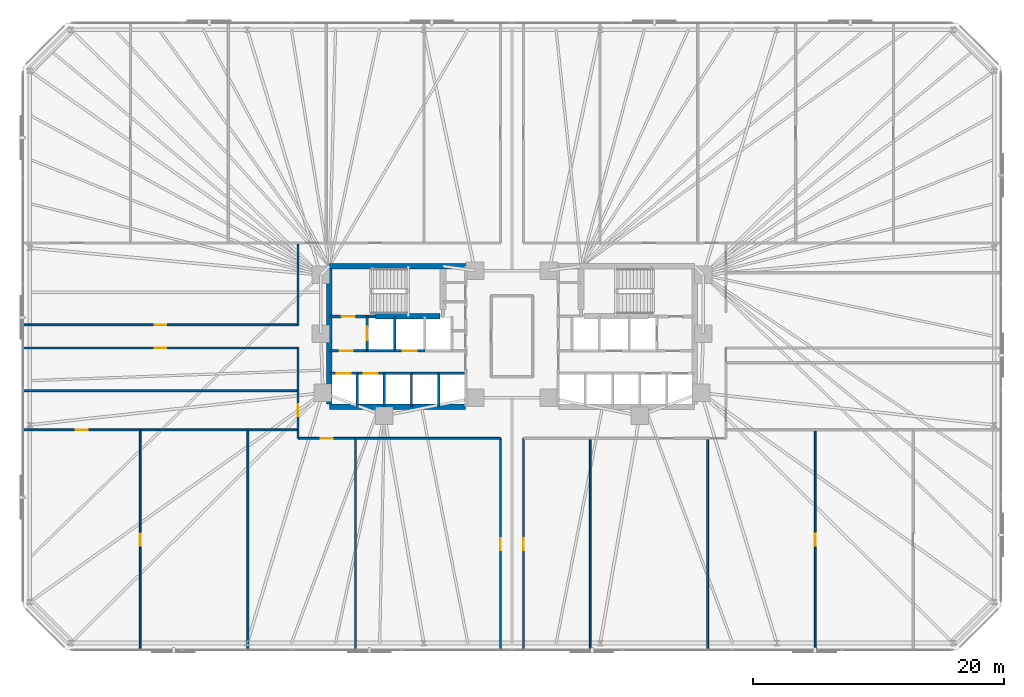
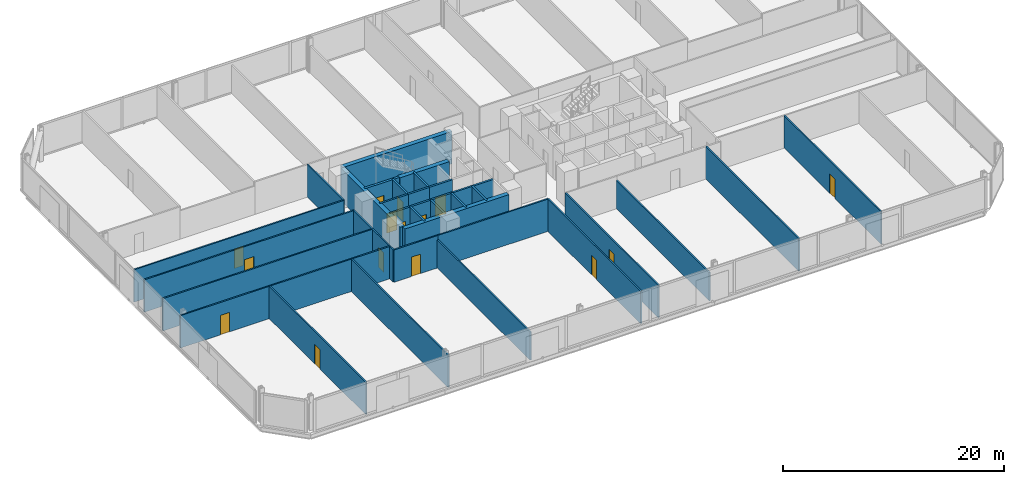
# One storey, part 12 of 17: 35 walls, 15 doors, 15 openings.
"""IFC4 building model written with IfcOpenShell, lengths in metres."""

from ifc_helpers import new_model, si_unit, direction, frame, frame_2d, origin, place, context, subcontext, project, spatial, rectangle, extrude, material, layer, layer_set, type_object, element, fill, save


model = new_model("IFC4")

# Units and contexts
model_context = context("Model", 3, precision=1e-05, world=origin(), true_north=direction((0.0, 1.0)))
body_context = subcontext(model_context, "Body", "Model", "MODEL_VIEW")
ifc_project = project(units=[si_unit("LENGTHUNIT", "METRE"), si_unit("AREAUNIT", "SQUARE_METRE"), si_unit("VOLUMEUNIT", "CUBIC_METRE"), si_unit("PLANEANGLEUNIT", "RADIAN"), si_unit("MASSUNIT", "GRAM", prefix="KILO")], contexts=[model_context])

# Site, building, storey
site_placement = place(None, origin())
site = spatial("IfcSite", under=ifc_project, at=site_placement, CompositionType="ELEMENT")
building_placement = place(site_placement, origin())
building = spatial("IfcBuilding", under=site, at=building_placement, Name="Menara Jurai Vektor", CompositionType="ELEMENT")
storey_placement = place(building_placement, frame((0.0, 0.0, 37.0)))
storey = spatial("IfcBuildingStorey", under=building, at=storey_placement, Name="L08", CompositionType="ELEMENT", Elevation=37.0)

# Wall, opening, door
ifc_material_1 = material(Name="Concrete C40/50", Category="concrete")
ifc_layer_1 = layer(ifc_material_1, 0.25)
ifc_layer_set_1 = layer_set([ifc_layer_1], Name="Concrete C40/50")
wall_type_1 = type_object("IfcWallType", Name="INT-WALL-CORE-250", PredefinedType="STANDARD", material=ifc_layer_set_1)
wall_1_placement = place(storey_placement, frame((-14.5, 1.60009765625, 0.0), z_axis=(0.0, 0.0, 1.0), x_axis=(1.0, 0.0, 0.0)))
wall_1 = element("IfcWall", 1, at=wall_1_placement, inside=storey, type_object=wall_type_1, Name="Interior Wall IW-250 L08", PredefinedType="STANDARD", context=body_context, shape_type="SweptSolid", body=[
    extrude(rectangle(XDim=3.60009765625, YDim=0.25, at=frame_2d((1.800048828125, 0.0))), origin(), (0.0, 0.0, 1.0), 3.574951171875),
])
opening_1_placement = place(wall_1_placement, frame((0.919921875, 0.0, 0.0)))
opening_1 = element("IfcOpeningElement", 2, at=opening_1_placement, cuts=wall_1, Name="Opening D-L08-ST1", PredefinedType="OPENING", context=body_context, shape_type="SweptSolid", body=[
    extrude(rectangle(XDim=1.050048828125, YDim=2.14990234375, at=frame_2d((0.52490234375, 1.074951171875))), frame((0.0, 0.135009765625, 0.0), z_axis=(0.0, -1.0, 0.0), x_axis=(1.0, 0.0, 0.0)), (0.0, 0.0, 1.0), 0.27001953125),
])
ifc_material_2 = material(Name="Fire-Rated Steel Door", Category="steel")
door_type_1 = type_object("IfcDoorType", Name="DR-STAIR-1050", OperationType="NOTDEFINED", PredefinedType="DOOR", material=ifc_material_2)
door_1_placement = place(opening_1_placement, origin())
door_1 = element("IfcDoor", 3, at=door_1_placement, inside=storey, type_object=door_type_1, Name="Exit Stair ST1 Door L08", OperationType="SINGLE_SWING_RIGHT", OverallHeight=2.14990234375, OverallWidth=1.050048828125, PredefinedType="DOOR", context=body_context, shape_type="SweptSolid", body=[
    extrude(rectangle(XDim=1.050048828125, YDim=2.14990234375, at=frame_2d((0.52490234375, 1.074951171875))), frame((0.0, 0.02490234375, 0.0), z_axis=(0.0, -1.0, 0.0), x_axis=(1.0, 0.0, 0.0)), (0.0, 0.0, 1.0), 0.050048828125),
])
fill(opening_1, door_1)

wall_2_placement = place(storey_placement, frame((-11.550048828125, -1.14990234375, 0.0), z_axis=(0.0, 0.0, 1.0), x_axis=(0.0, 1.0, 0.0)))
wall_2 = element("IfcWall", 4, at=wall_2_placement, inside=storey, type_object=wall_type_1, Name="Interior Wall IW-250 L08", PredefinedType="STANDARD", context=body_context, shape_type="SweptSolid", body=[
    extrude(rectangle(XDim=2.75, YDim=0.199951171875, at=frame_2d((1.375, 0.0))), origin(), (0.0, 0.0, 1.0), 3.574951171875),
])
opening_2_placement = place(wall_2_placement, frame((0.824951171875, 0.0, 0.0)))
opening_2 = element("IfcOpeningElement", 5, at=opening_2_placement, cuts=wall_2, Name="Opening LD-L08-FL1", PredefinedType="OPENING", context=body_context, shape_type="SweptSolid", body=[
    extrude(rectangle(XDim=1.10009765625, YDim=2.14990234375, at=frame_2d((0.550048828125, 1.074951171875))), frame((0.0, 0.10986328125, 0.0), z_axis=(0.0, -1.0, 0.0), x_axis=(1.0, 0.0, 0.0)), (0.0, 0.0, 1.0), 0.219970703125),
])
ifc_material_3 = material(Name="Stainless Steel Sliding Lift Landing Door", Category="steel")
door_type_2 = type_object("IfcDoorType", Name="DR-LIFT-FIRE-1100", OperationType="NOTDEFINED", PredefinedType="DOOR", material=ifc_material_3)
door_2_placement = place(opening_2_placement, origin())
door_2 = element("IfcDoor", 6, at=door_2_placement, inside=storey, type_object=door_type_2, Name="Lift Landing Door FL1 L08", OperationType="SLIDING_TO_RIGHT", OverallHeight=2.14990234375, OverallWidth=1.10009765625, PredefinedType="DOOR", context=body_context, shape_type="SweptSolid", body=[
    extrude(rectangle(XDim=1.10009765625, YDim=2.14990234375, at=frame_2d((0.550048828125, 1.074951171875))), frame((0.0, 0.02490234375, 0.0), z_axis=(0.0, -1.0, 0.0), x_axis=(1.0, 0.0, 0.0)), (0.0, 0.0, 1.0), 0.050048828125),
])
fill(opening_2, door_2)

# Wall
wall_3_placement = place(storey_placement, frame((-9.35009765625, -1.14990234375, 0.0), z_axis=(0.0, 0.0, 1.0), x_axis=(0.0, 1.0, 0.0)))
element("IfcWall", 7, at=wall_3_placement, inside=storey, type_object=wall_type_1, Name="Interior Wall IW-250 L08", PredefinedType="STANDARD", context=body_context, shape_type="SweptSolid", body=[
    extrude(rectangle(XDim=2.75, YDim=0.199951171875, at=frame_2d((1.375, 0.0))), origin(), (0.0, 0.0, 1.0), 3.574951171875),
])

# Wall, opening, door
wall_4_placement = place(storey_placement, frame((-14.5, -1.14990234375, 0.0), z_axis=(0.0, 0.0, 1.0), x_axis=(1.0, 0.0, 0.0)))
wall_4 = element("IfcWall", 8, at=wall_4_placement, inside=storey, type_object=wall_type_1, Name="Interior Wall IW-250 L08", PredefinedType="STANDARD", context=body_context, shape_type="SweptSolid", body=[
    extrude(rectangle(XDim=2.949951171875, YDim=0.199951171875, at=frame_2d((1.47509765625, 0.0))), origin(), (0.0, 0.0, 1.0), 3.574951171875),
])
opening_3_placement = place(wall_4_placement, frame((0.75, 0.0, 0.0)))
opening_3 = element("IfcOpeningElement", 9, at=opening_3_placement, cuts=wall_4, Name="Opening D-L08-FFW", PredefinedType="OPENING", context=body_context, shape_type="SweptSolid", body=[
    extrude(rectangle(XDim=1.050048828125, YDim=2.179931640625, at=frame_2d((0.52490234375, 1.08984375))), frame((0.0, 0.10986328125, 0.0), z_axis=(0.0, -1.0, 0.0), x_axis=(1.0, 0.0, 0.0)), (0.0, 0.0, 1.0), 0.219970703125),
])
ifc_material_4 = material(Name="Fire-Rated Timber Door", Category="wood")
door_type_3 = type_object("IfcDoorType", Name="DR-LOBBY-1050", OperationType="NOTDEFINED", PredefinedType="DOOR", material=ifc_material_4)
door_3_placement = place(opening_3_placement, origin())
door_3 = element("IfcDoor", 10, at=door_3_placement, inside=storey, type_object=door_type_3, Name="Fire Lift Lobby Door W L08", OperationType="SINGLE_SWING_RIGHT", OverallHeight=2.179931640625, OverallWidth=1.050048828125, PredefinedType="DOOR", context=body_context, shape_type="SweptSolid", body=[
    extrude(rectangle(XDim=1.050048828125, YDim=2.179931640625, at=frame_2d((0.52490234375, 1.08984375))), frame((0.0, 0.02490234375, 0.0), z_axis=(0.0, -1.0, 0.0), x_axis=(1.0, 0.0, 0.0)), (0.0, 0.0, 1.0), 0.050048828125),
])
fill(opening_3, door_3)

# Walls
wall_5_placement = place(storey_placement, frame((-11.550048828125, -1.14990234375, 0.0), z_axis=(0.0, 0.0, 1.0), x_axis=(1.0, 0.0, 0.0)))
element("IfcWall", 11, at=wall_5_placement, inside=storey, type_object=wall_type_1, Name="Interior Wall IW-250 L08", PredefinedType="STANDARD", context=body_context, shape_type="SweptSolid", body=[
    extrude(rectangle(XDim=2.199951171875, YDim=0.199951171875, at=frame_2d((1.10009765625, 0.0))), origin(), (0.0, 0.0, 1.0), 3.574951171875),
])
ifc_material_5 = material(Name="Gypsum Fireboard Partition", Category="gypsum")
ifc_layer_2 = layer(ifc_material_5, 0.14990234375)
ifc_layer_set_2 = layer_set([ifc_layer_2], Name="Gypsum Fireboard Partition")
wall_type_2 = type_object("IfcWallType", Name="INT-WALL-CORR-150", PredefinedType="PARTITIONING", material=ifc_layer_set_2)
wall_6_placement = place(storey_placement, frame((-17.05908203125, -8.1298828125, 0.0), z_axis=(0.0, 0.0, 1.0), x_axis=(0.0, 1.0, 0.0)))
element("IfcWall", 12, at=wall_6_placement, inside=storey, type_object=wall_type_2, Name="Interior Wall IW-150 L08", PredefinedType="PARTITIONING", context=body_context, shape_type="SweptSolid", body=[
    extrude(rectangle(XDim=0.679931640625, YDim=0.14990234375, at=frame_2d((0.33984375, 0.0))), origin(), (0.0, 0.0, 1.0), 3.574951171875),
])

# Wall, opening, door
wall_7_placement = place(storey_placement, frame((-17.05908203125, -8.1298828125, 0.0), z_axis=(0.0, 0.0, 1.0), x_axis=(1.0, 0.0, 0.0)))
wall_7 = element("IfcWall", 13, at=wall_7_placement, inside=storey, type_object=wall_type_2, Name="Interior Wall IW-150 L08", PredefinedType="PARTITIONING", context=body_context, shape_type="SweptSolid", body=[
    extrude(rectangle(XDim=4.5791015625, YDim=0.14990234375, at=frame_2d((2.28955078125, 0.0))), origin(), (0.0, 0.0, 1.0), 3.574951171875),
])
opening_4_placement = place(wall_7_placement, frame((1.814453125, 0.0, 0.0)))
opening_4 = element("IfcOpeningElement", 14, at=opening_4_placement, cuts=wall_7, Name="Opening D08-13", PredefinedType="OPENING", context=body_context, shape_type="SweptSolid", body=[
    extrude(rectangle(XDim=0.949951171875, YDim=2.14990234375, at=frame_2d((0.47509765625, 1.074951171875))), frame((0.0, 0.0849609375, 0.0), z_axis=(0.0, -1.0, 0.0), x_axis=(1.0, 0.0, 0.0)), (0.0, 0.0, 1.0), 0.169921875),
])
ifc_material_6 = material(Name="Solid Core Timber Fire Door", Category="wood")
door_type_4 = type_object("IfcDoorType", Name="DR-ENTRY-950", OperationType="NOTDEFINED", PredefinedType="DOOR", material=ifc_material_6)
door_4_placement = place(opening_4_placement, origin())
door_4 = element("IfcDoor", 15, at=door_4_placement, inside=storey, type_object=door_type_4, Name="Interior Door D08-13", OperationType="SINGLE_SWING_RIGHT", OverallHeight=2.14990234375, OverallWidth=0.949951171875, PredefinedType="DOOR", context=body_context, shape_type="SweptSolid", body=[
    extrude(rectangle(XDim=0.949951171875, YDim=2.14990234375, at=frame_2d((0.47509765625, 1.074951171875))), frame((0.0, 0.02490234375, 0.0), z_axis=(0.0, -1.0, 0.0), x_axis=(1.0, 0.0, 0.0)), (0.0, 0.0, 1.0), 0.050048828125),
])
fill(opening_4, door_4)

# Wall
wall_8_placement = place(storey_placement, frame((-12.47998046875, -8.1298828125, 0.0), z_axis=(0.0, 0.0, 1.0), x_axis=(1.0, 0.0, 0.0)))
element("IfcWall", 16, at=wall_8_placement, inside=storey, type_object=wall_type_2, Name="Interior Wall IW-150 L08", PredefinedType="PARTITIONING", context=body_context, shape_type="SweptSolid", body=[
    extrude(rectangle(XDim=11.56005859375, YDim=0.14990234375, at=frame_2d((5.780029296875, 0.0))), origin(), (0.0, 0.0, 1.0), 3.574951171875),
])

# Wall, opening, door
wall_9_placement = place(storey_placement, frame((-0.919921875, -25.0, 0.0), z_axis=(0.0, 0.0, 1.0), x_axis=(0.0, 1.0, 0.0)))
wall_9 = element("IfcWall", 17, at=wall_9_placement, inside=storey, type_object=wall_type_2, Name="Interior Wall IW-150 L08", PredefinedType="PARTITIONING", context=body_context, shape_type="SweptSolid", body=[
    extrude(rectangle(XDim=16.8701171875, YDim=0.14990234375, at=frame_2d((8.43505859375, 0.0))), origin(), (0.0, 0.0, 1.0), 3.574951171875),
])
opening_5_placement = place(wall_9_placement, frame((7.9599609375, 0.0, 0.0)))
opening_5 = element("IfcOpeningElement", 18, at=opening_5_placement, cuts=wall_9, Name="Opening D08-14", PredefinedType="OPENING", context=body_context, shape_type="SweptSolid", body=[
    extrude(rectangle(XDim=0.949951171875, YDim=2.14990234375, at=frame_2d((0.47509765625, 1.074951171875))), frame((0.0, 0.0849609375, 0.0), z_axis=(0.0, -1.0, 0.0), x_axis=(1.0, 0.0, 0.0)), (0.0, 0.0, 1.0), 0.169921875),
])
door_5_placement = place(opening_5_placement, origin())
door_5 = element("IfcDoor", 19, at=door_5_placement, inside=storey, type_object=door_type_4, Name="Interior Door D08-14", OperationType="SINGLE_SWING_LEFT", OverallHeight=2.14990234375, OverallWidth=0.949951171875, PredefinedType="DOOR", context=body_context, shape_type="SweptSolid", body=[
    extrude(rectangle(XDim=0.949951171875, YDim=2.14990234375, at=frame_2d((0.47509765625, 1.074951171875))), frame((0.0, 0.02490234375, 0.0), z_axis=(0.0, -1.0, 0.0), x_axis=(1.0, 0.0, 0.0)), (0.0, 0.0, 1.0), 0.050048828125),
])
fill(opening_5, door_5)

wall_10_placement = place(storey_placement, frame((0.919921875, -25.0, 0.0), z_axis=(0.0, 0.0, 1.0), x_axis=(0.0, 1.0, 0.0)))
wall_10 = element("IfcWall", 20, at=wall_10_placement, inside=storey, type_object=wall_type_2, Name="Interior Wall IW-150 L08", PredefinedType="PARTITIONING", context=body_context, shape_type="SweptSolid", body=[
    extrude(rectangle(XDim=16.8701171875, YDim=0.14990234375, at=frame_2d((8.43505859375, 0.0))), origin(), (0.0, 0.0, 1.0), 3.574951171875),
])
opening_6_placement = place(wall_10_placement, frame((7.9599609375, 0.0, 0.0)))
opening_6 = element("IfcOpeningElement", 21, at=opening_6_placement, cuts=wall_10, Name="Opening D08-15", PredefinedType="OPENING", context=body_context, shape_type="SweptSolid", body=[
    extrude(rectangle(XDim=0.949951171875, YDim=2.14990234375, at=frame_2d((0.47509765625, 1.074951171875))), frame((0.0, 0.0849609375, 0.0), z_axis=(0.0, -1.0, 0.0), x_axis=(1.0, 0.0, 0.0)), (0.0, 0.0, 1.0), 0.169921875),
])
door_6_placement = place(opening_6_placement, origin())
door_6 = element("IfcDoor", 22, at=door_6_placement, inside=storey, type_object=door_type_4, Name="Interior Door D08-15", OperationType="SINGLE_SWING_RIGHT", OverallHeight=2.14990234375, OverallWidth=0.949951171875, PredefinedType="DOOR", context=body_context, shape_type="SweptSolid", body=[
    extrude(rectangle(XDim=0.949951171875, YDim=2.14990234375, at=frame_2d((0.47509765625, 1.074951171875))), frame((0.0, 0.02490234375, 0.0), z_axis=(0.0, -1.0, 0.0), x_axis=(1.0, 0.0, 0.0)), (0.0, 0.0, 1.0), 0.050048828125),
])
fill(opening_6, door_6)

wall_11_placement = place(storey_placement, frame((-17.05908203125, -7.449951171875, 0.0), z_axis=(0.0, 0.0, 1.0), x_axis=(0.0, 1.0, 0.0)))
wall_11 = element("IfcWall", 23, at=wall_11_placement, inside=storey, type_object=wall_type_2, Name="Interior Wall IW-150 L08", PredefinedType="PARTITIONING", context=body_context, shape_type="SweptSolid", body=[
    extrude(rectangle(XDim=3.12890625, YDim=0.14990234375, at=frame_2d((1.564453125, 0.0))), origin(), (0.0, 0.0, 1.0), 3.574951171875),
])
opening_7_placement = place(wall_11_placement, frame((1.089599609375, 0.0, 0.0)))
opening_7 = element("IfcOpeningElement", 24, at=opening_7_placement, cuts=wall_11, Name="Opening D08-18", PredefinedType="OPENING", context=body_context, shape_type="SweptSolid", body=[
    extrude(rectangle(XDim=0.949951171875, YDim=2.14990234375, at=frame_2d((0.47509765625, 1.074951171875))), frame((0.0, 0.0849609375, 0.0), z_axis=(0.0, -1.0, 0.0), x_axis=(1.0, 0.0, 0.0)), (0.0, 0.0, 1.0), 0.169921875),
])
door_7_placement = place(opening_7_placement, origin())
door_7 = element("IfcDoor", 25, at=door_7_placement, inside=storey, type_object=door_type_4, Name="Interior Door D08-18", OperationType="SINGLE_SWING_LEFT", OverallHeight=2.14990234375, OverallWidth=0.949951171875, PredefinedType="DOOR", context=body_context, shape_type="SweptSolid", body=[
    extrude(rectangle(XDim=0.949951171875, YDim=2.14990234375, at=frame_2d((0.47509765625, 1.074951171875))), frame((0.0, 0.02490234375, 0.0), z_axis=(0.0, -1.0, 0.0), x_axis=(1.0, 0.0, 0.0)), (0.0, 0.0, 1.0), 0.050048828125),
])
fill(opening_7, door_7)

wall_12_placement = place(storey_placement, frame((-39.0, -0.919921875, 0.0), z_axis=(0.0, 0.0, 1.0), x_axis=(1.0, 0.0, 0.0)))
wall_12 = element("IfcWall", 26, at=wall_12_placement, inside=storey, type_object=wall_type_2, Name="Interior Wall IW-150 L08", PredefinedType="PARTITIONING", context=body_context, shape_type="SweptSolid", body=[
    extrude(rectangle(XDim=21.94091796875, YDim=0.14990234375, at=frame_2d((10.970458984375, 0.0))), origin(), (0.0, 0.0, 1.0), 3.574951171875),
])
opening_8_placement = place(wall_12_placement, frame((10.49560546875, 0.0, 0.0)))
opening_8 = element("IfcOpeningElement", 27, at=opening_8_placement, cuts=wall_12, Name="Opening D08-19", PredefinedType="OPENING", context=body_context, shape_type="SweptSolid", body=[
    extrude(rectangle(XDim=0.949951171875, YDim=2.14990234375, at=frame_2d((0.47509765625, 1.074951171875))), frame((0.0, 0.0849609375, 0.0), z_axis=(0.0, -1.0, 0.0), x_axis=(1.0, 0.0, 0.0)), (0.0, 0.0, 1.0), 0.169921875),
])
door_8_placement = place(opening_8_placement, origin())
door_8 = element("IfcDoor", 28, at=door_8_placement, inside=storey, type_object=door_type_4, Name="Interior Door D08-19", OperationType="SINGLE_SWING_RIGHT", OverallHeight=2.14990234375, OverallWidth=0.949951171875, PredefinedType="DOOR", context=body_context, shape_type="SweptSolid", body=[
    extrude(rectangle(XDim=0.949951171875, YDim=2.14990234375, at=frame_2d((0.47509765625, 1.074951171875))), frame((0.0, 0.02490234375, 0.0), z_axis=(0.0, -1.0, 0.0), x_axis=(1.0, 0.0, 0.0)), (0.0, 0.0, 1.0), 0.050048828125),
])
fill(opening_8, door_8)

# Wall
wall_13_placement = place(storey_placement, frame((-17.05908203125, -4.321044921875, 0.0), z_axis=(0.0, 0.0, 1.0), x_axis=(0.0, 1.0, 0.0)))
element("IfcWall", 29, at=wall_13_placement, inside=storey, type_object=wall_type_2, Name="Interior Wall IW-150 L08", PredefinedType="PARTITIONING", context=body_context, shape_type="SweptSolid", body=[
    extrude(rectangle(XDim=3.401123046875, YDim=0.14990234375, at=frame_2d((1.70068359375, 0.0))), origin(), (0.0, 0.0, 1.0), 3.574951171875),
])

# Wall, opening, door
wall_14_placement = place(storey_placement, frame((-39.0, 0.919921875, 0.0), z_axis=(0.0, 0.0, 1.0), x_axis=(1.0, 0.0, 0.0)))
wall_14 = element("IfcWall", 30, at=wall_14_placement, inside=storey, type_object=wall_type_2, Name="Interior Wall IW-150 L08", PredefinedType="PARTITIONING", context=body_context, shape_type="SweptSolid", body=[
    extrude(rectangle(XDim=21.94091796875, YDim=0.14990234375, at=frame_2d((10.970458984375, 0.0))), origin(), (0.0, 0.0, 1.0), 3.574951171875),
])
opening_9_placement = place(wall_14_placement, frame((10.49560546875, 0.0, 0.0)))
opening_9 = element("IfcOpeningElement", 31, at=opening_9_placement, cuts=wall_14, Name="Opening D08-20", PredefinedType="OPENING", context=body_context, shape_type="SweptSolid", body=[
    extrude(rectangle(XDim=0.949951171875, YDim=2.14990234375, at=frame_2d((0.47509765625, 1.074951171875))), frame((0.0, 0.0849609375, 0.0), z_axis=(0.0, -1.0, 0.0), x_axis=(1.0, 0.0, 0.0)), (0.0, 0.0, 1.0), 0.169921875),
])
door_9_placement = place(opening_9_placement, origin())
door_9 = element("IfcDoor", 32, at=door_9_placement, inside=storey, type_object=door_type_4, Name="Interior Door D08-20", OperationType="SINGLE_SWING_LEFT", OverallHeight=2.14990234375, OverallWidth=0.949951171875, PredefinedType="DOOR", context=body_context, shape_type="SweptSolid", body=[
    extrude(rectangle(XDim=0.949951171875, YDim=2.14990234375, at=frame_2d((0.47509765625, 1.074951171875))), frame((0.0, 0.02490234375, 0.0), z_axis=(0.0, -1.0, 0.0), x_axis=(1.0, 0.0, 0.0)), (0.0, 0.0, 1.0), 0.050048828125),
])
fill(opening_9, door_9)

# Wall
wall_15_placement = place(storey_placement, frame((-17.05908203125, 0.919921875, 0.0), z_axis=(0.0, 0.0, 1.0), x_axis=(0.0, 1.0, 0.0)))
element("IfcWall", 33, at=wall_15_placement, inside=storey, type_object=wall_type_2, Name="Interior Wall IW-150 L08", PredefinedType="PARTITIONING", context=body_context, shape_type="SweptSolid", body=[
    extrude(rectangle(XDim=6.530029296875, YDim=0.14990234375, at=frame_2d((3.26513671875, 0.0))), origin(), (0.0, 0.0, 1.0), 3.574951171875),
])

# Wall, opening, door
wall_16_placement = place(storey_placement, frame((-29.639892578125, -25.0, 0.0), z_axis=(0.0, 0.0, 1.0), x_axis=(0.0, 1.0, 0.0)))
wall_16 = element("IfcWall", 34, at=wall_16_placement, inside=storey, type_object=wall_type_2, Name="Interior Wall IW-150 L08", PredefinedType="PARTITIONING", context=body_context, shape_type="SweptSolid", body=[
    extrude(rectangle(XDim=17.550048828125, YDim=0.14990234375, at=frame_2d((8.77490234375, 0.0))), origin(), (0.0, 0.0, 1.0), 3.574951171875),
])
opening_10_placement = place(wall_16_placement, frame((8.300048828125, 0.0, 0.0)))
opening_10 = element("IfcOpeningElement", 35, at=opening_10_placement, cuts=wall_16, Name="Opening D08-30", PredefinedType="OPENING", context=body_context, shape_type="SweptSolid", body=[
    extrude(rectangle(XDim=0.949951171875, YDim=2.14990234375, at=frame_2d((0.47509765625, 1.074951171875))), frame((0.0, 0.0849609375, 0.0), z_axis=(0.0, -1.0, 0.0), x_axis=(1.0, 0.0, 0.0)), (0.0, 0.0, 1.0), 0.169921875),
])
door_10_placement = place(opening_10_placement, origin())
door_10 = element("IfcDoor", 36, at=door_10_placement, inside=storey, type_object=door_type_4, Name="Interior Door D08-30", OperationType="SINGLE_SWING_LEFT", OverallHeight=2.14990234375, OverallWidth=0.949951171875, PredefinedType="DOOR", context=body_context, shape_type="SweptSolid", body=[
    extrude(rectangle(XDim=0.949951171875, YDim=2.14990234375, at=frame_2d((0.47509765625, 1.074951171875))), frame((0.0, 0.02490234375, 0.0), z_axis=(0.0, -1.0, 0.0), x_axis=(1.0, 0.0, 0.0)), (0.0, 0.0, 1.0), 0.050048828125),
])
fill(opening_10, door_10)

wall_17_placement = place(storey_placement, frame((-39.0, -7.449951171875, 0.0), z_axis=(0.0, 0.0, 1.0), x_axis=(1.0, 0.0, 0.0)))
wall_17 = element("IfcWall", 37, at=wall_17_placement, inside=storey, type_object=wall_type_2, Name="Interior Wall IW-150 L08", PredefinedType="PARTITIONING", context=body_context, shape_type="SweptSolid", body=[
    extrude(rectangle(XDim=9.360107421875, YDim=0.14990234375, at=frame_2d((4.68017578125, 0.0))), origin(), (0.0, 0.0, 1.0), 3.574951171875),
])
opening_11_placement = place(wall_17_placement, frame((4.205078125, 0.0, 0.0)))
opening_11 = element("IfcOpeningElement", 38, at=opening_11_placement, cuts=wall_17, Name="Opening D08-29", PredefinedType="OPENING", context=body_context, shape_type="SweptSolid", body=[
    extrude(rectangle(XDim=0.949951171875, YDim=2.14990234375, at=frame_2d((0.47509765625, 1.074951171875))), frame((0.0, 0.0849609375, 0.0), z_axis=(0.0, -1.0, 0.0), x_axis=(1.0, 0.0, 0.0)), (0.0, 0.0, 1.0), 0.169921875),
])
door_11_placement = place(opening_11_placement, origin())
door_11 = element("IfcDoor", 39, at=door_11_placement, inside=storey, type_object=door_type_4, Name="Interior Door D08-29", OperationType="SINGLE_SWING_RIGHT", OverallHeight=2.14990234375, OverallWidth=0.949951171875, PredefinedType="DOOR", context=body_context, shape_type="SweptSolid", body=[
    extrude(rectangle(XDim=0.949951171875, YDim=2.14990234375, at=frame_2d((0.47509765625, 1.074951171875))), frame((0.0, 0.02490234375, 0.0), z_axis=(0.0, -1.0, 0.0), x_axis=(1.0, 0.0, 0.0)), (0.0, 0.0, 1.0), 0.050048828125),
])
fill(opening_11, door_11)

# Walls
wall_18_placement = place(storey_placement, frame((-21.06005859375, -25.0, 0.0), z_axis=(0.0, 0.0, 1.0), x_axis=(0.0, 1.0, 0.0)))
element("IfcWall", 40, at=wall_18_placement, inside=storey, type_object=wall_type_2, Name="Interior Wall IW-150 L08", PredefinedType="PARTITIONING", context=body_context, shape_type="SweptSolid", body=[
    extrude(rectangle(XDim=17.550048828125, YDim=0.14990234375, at=frame_2d((8.77490234375, 0.0))), origin(), (0.0, 0.0, 1.0), 3.574951171875),
])
wall_19_placement = place(storey_placement, frame((-29.639892578125, -7.449951171875, 0.0), z_axis=(0.0, 0.0, 1.0), x_axis=(1.0, 0.0, 0.0)))
element("IfcWall", 41, at=wall_19_placement, inside=storey, type_object=wall_type_2, Name="Interior Wall IW-150 L08", PredefinedType="PARTITIONING", context=body_context, shape_type="SweptSolid", body=[
    extrude(rectangle(XDim=8.579833984375, YDim=0.14990234375, at=frame_2d((4.2900390625, 0.0))), origin(), (0.0, 0.0, 1.0), 3.574951171875),
])
wall_20_placement = place(storey_placement, frame((-21.06005859375, -7.449951171875, 0.0), z_axis=(0.0, 0.0, 1.0), x_axis=(1.0, 0.0, 0.0)))
element("IfcWall", 42, at=wall_20_placement, inside=storey, type_object=wall_type_2, Name="Interior Wall IW-150 L08", PredefinedType="PARTITIONING", context=body_context, shape_type="SweptSolid", body=[
    extrude(rectangle(XDim=4.0009765625, YDim=0.14990234375, at=frame_2d((2.00048828125, 0.0))), origin(), (0.0, 0.0, 1.0), 3.574951171875),
])
wall_21_placement = place(storey_placement, frame((15.60009765625, -25.0, 0.0), z_axis=(0.0, 0.0, 1.0), x_axis=(0.0, 1.0, 0.0)))
element("IfcWall", 43, at=wall_21_placement, inside=storey, type_object=wall_type_2, Name="Interior Wall IW-150 L08", PredefinedType="PARTITIONING", context=body_context, shape_type="SweptSolid", body=[
    extrude(rectangle(XDim=16.8701171875, YDim=0.14990234375, at=frame_2d((8.43505859375, 0.0))), origin(), (0.0, 0.0, 1.0), 3.574951171875),
])

# Wall, opening, door
wall_22_placement = place(storey_placement, frame((24.179931640625, -25.0, 0.0), z_axis=(0.0, 0.0, 1.0), x_axis=(0.0, 1.0, 0.0)))
wall_22 = element("IfcWall", 44, at=wall_22_placement, inside=storey, type_object=wall_type_2, Name="Interior Wall IW-150 L08", PredefinedType="PARTITIONING", context=body_context, shape_type="SweptSolid", body=[
    extrude(rectangle(XDim=17.550048828125, YDim=0.14990234375, at=frame_2d((8.77490234375, 0.0))), origin(), (0.0, 0.0, 1.0), 3.574951171875),
])
opening_12_placement = place(wall_22_placement, frame((8.300048828125, 0.0, 0.0)))
opening_12 = element("IfcOpeningElement", 45, at=opening_12_placement, cuts=wall_22, Name="Opening D08-31", PredefinedType="OPENING", context=body_context, shape_type="SweptSolid", body=[
    extrude(rectangle(XDim=0.949951171875, YDim=2.14990234375, at=frame_2d((0.47509765625, 1.074951171875))), frame((0.0, 0.0849609375, 0.0), z_axis=(0.0, -1.0, 0.0), x_axis=(1.0, 0.0, 0.0)), (0.0, 0.0, 1.0), 0.169921875),
])
door_12_placement = place(opening_12_placement, origin())
door_12 = element("IfcDoor", 46, at=door_12_placement, inside=storey, type_object=door_type_4, Name="Interior Door D08-31", OperationType="SINGLE_SWING_RIGHT", OverallHeight=2.14990234375, OverallWidth=0.949951171875, PredefinedType="DOOR", context=body_context, shape_type="SweptSolid", body=[
    extrude(rectangle(XDim=0.949951171875, YDim=2.14990234375, at=frame_2d((0.47509765625, 1.074951171875))), frame((0.0, 0.02490234375, 0.0), z_axis=(0.0, -1.0, 0.0), x_axis=(1.0, 0.0, 0.0)), (0.0, 0.0, 1.0), 0.050048828125),
])
fill(opening_12, door_12)

# Walls
wall_23_placement = place(storey_placement, frame((-39.0, -4.321044921875, 0.0), z_axis=(0.0, 0.0, 1.0), x_axis=(1.0, 0.0, 0.0)))
element("IfcWall", 47, at=wall_23_placement, inside=storey, type_object=wall_type_2, Name="Interior Wall IW-150 L08", PredefinedType="PARTITIONING", context=body_context, shape_type="SweptSolid", body=[
    extrude(rectangle(XDim=21.94091796875, YDim=0.14990234375, at=frame_2d((10.970458984375, 0.0))), origin(), (0.0, 0.0, 1.0), 3.574951171875),
])
ifc_layer_3 = layer(ifc_material_5, 0.14990234375)
ifc_layer_set_3 = layer_set([ifc_layer_3], Name="Gypsum Fireboard Partition")
wall_type_3 = type_object("IfcWallType", Name="INT-WALL-CORR-150-H1", PredefinedType="PARTITIONING", material=ifc_layer_set_3)
for number, where, z_axis, x_axis, name in (
    (48, (-12.47998046875, -25.0, 0.0), (0.0, 0.0, 1.0), (0.0, 1.0, 0.0), "Interior Wall IW-150 L08"),
    (49, (6.239990234375, -25.0, 0.0), (0.0, 0.0, 1.0), (0.0, 1.0, 0.0), "Interior Wall IW-150 L08"),
):
    element("IfcWall", number, at=place(storey_placement, frame(where, z_axis=z_axis, x_axis=x_axis)), inside=storey, type_object=wall_type_3, Name=name, PredefinedType="PARTITIONING", context=body_context, shape_type="SweptSolid", body=[
        extrude(rectangle(XDim=16.8701171875, YDim=0.14990234375, at=frame_2d((8.43505859375, 0.0))), origin(), (0.0, 0.0, 1.0), 3.125),
    ])

# Wall, opening, door
ifc_layer_4 = layer(ifc_material_1, 0.199951171875)
ifc_layer_set_4 = layer_set([ifc_layer_4], Name="Concrete C40/50")
wall_type_4 = type_object("IfcWallType", Name="INT-WALL-SHAFT-200", PredefinedType="STANDARD", material=ifc_layer_set_4)
wall_24_placement = place(storey_placement, frame((-9.35009765625, -1.14990234375, 0.0), z_axis=(0.0, 0.0, 1.0), x_axis=(1.0, 0.0, 0.0)))
wall_24 = element("IfcWall", 50, at=wall_24_placement, inside=storey, type_object=wall_type_4, Name="Interior Wall IW-200 L08", PredefinedType="STANDARD", context=body_context, shape_type="SweptSolid", body=[
    extrude(rectangle(XDim=2.400146484375, YDim=0.199951171875, at=frame_2d((1.2001953125, 0.0))), origin(), (0.0, 0.0, 1.0), 3.574951171875),
])
opening_13_placement = place(wall_24_placement, frame((0.64990234375, 0.0, 0.0)))
opening_13 = element("IfcOpeningElement", 51, at=opening_13_placement, cuts=wall_24, Name="Opening LD-L08-SVL1", PredefinedType="OPENING", context=body_context, shape_type="SweptSolid", body=[
    extrude(rectangle(XDim=1.10009765625, YDim=2.14990234375, at=frame_2d((0.550048828125, 1.074951171875))), frame((0.0, 0.10986328125, 0.0), z_axis=(0.0, -1.0, 0.0), x_axis=(1.0, 0.0, 0.0)), (0.0, 0.0, 1.0), 0.219970703125),
])
ifc_material_7 = material(Name="Anodised Stainless Sliding Lift Landing Door", Category="steel")
door_type_5 = type_object("IfcDoorType", Name="DR-LIFT-PASS-1100", OperationType="NOTDEFINED", PredefinedType="DOOR", material=ifc_material_7)
door_13_placement = place(opening_13_placement, origin())
door_13 = element("IfcDoor", 52, at=door_13_placement, inside=storey, type_object=door_type_5, Name="Lift Landing Door SVL1 L08", OperationType="SLIDING_TO_RIGHT", OverallHeight=2.14990234375, OverallWidth=1.10009765625, PredefinedType="DOOR", context=body_context, shape_type="SweptSolid", body=[
    extrude(rectangle(XDim=1.10009765625, YDim=2.14990234375, at=frame_2d((0.550048828125, 1.074951171875))), frame((0.0, 0.02490234375, 0.0), z_axis=(0.0, -1.0, 0.0), x_axis=(1.0, 0.0, 0.0)), (0.0, 0.0, 1.0), 0.050048828125),
])
fill(opening_13, door_13)

# Wall, openings, doors
wall_25_placement = place(storey_placement, frame((-14.5, -2.949951171875, 0.0), z_axis=(0.0, 0.0, 1.0), x_axis=(1.0, 0.0, 0.0)))
wall_25 = element("IfcWall", 53, at=wall_25_placement, inside=storey, type_object=wall_type_4, Name="Interior Wall IW-200 L08", PredefinedType="STANDARD", context=body_context, shape_type="SweptSolid", body=[
    extrude(rectangle(XDim=10.800048828125, YDim=0.199951171875, at=frame_2d((5.39990234375, 0.0))), origin(), (0.0, 0.0, 1.0), 3.574951171875),
])
opening_14_placement = place(wall_25_placement, frame((0.530029296875, 0.0, 0.0)))
opening_14 = element("IfcOpeningElement", 54, at=opening_14_placement, cuts=wall_25, Name="Opening LD-L08-PL1", PredefinedType="OPENING", context=body_context, shape_type="SweptSolid", body=[
    extrude(rectangle(XDim=1.10009765625, YDim=2.14990234375, at=frame_2d((0.550048828125, 1.074951171875))), frame((0.0, 0.10986328125, 0.0), z_axis=(0.0, -1.0, 0.0), x_axis=(1.0, 0.0, 0.0)), (0.0, 0.0, 1.0), 0.219970703125),
])
opening_15_placement = place(wall_25_placement, frame((2.68994140625, 0.0, 0.0)))
opening_15 = element("IfcOpeningElement", 55, at=opening_15_placement, cuts=wall_25, Name="Opening LD-L08-PL2", PredefinedType="OPENING", context=body_context, shape_type="SweptSolid", body=[
    extrude(rectangle(XDim=1.10009765625, YDim=2.14990234375, at=frame_2d((0.550048828125, 1.074951171875))), frame((0.0, 0.10986328125, 0.0), z_axis=(0.0, -1.0, 0.0), x_axis=(1.0, 0.0, 0.0)), (0.0, 0.0, 1.0), 0.219970703125),
])
door_14_placement = place(opening_14_placement, origin())
door_14 = element("IfcDoor", 56, at=door_14_placement, inside=storey, type_object=door_type_5, Name="Lift Landing Door PL1 L08", OperationType="SLIDING_TO_RIGHT", OverallHeight=2.14990234375, OverallWidth=1.10009765625, PredefinedType="DOOR", context=body_context, shape_type="SweptSolid", body=[
    extrude(rectangle(XDim=1.10009765625, YDim=2.14990234375, at=frame_2d((0.550048828125, 1.074951171875))), frame((0.0, 0.02490234375, 0.0), z_axis=(0.0, -1.0, 0.0), x_axis=(1.0, 0.0, 0.0)), (0.0, 0.0, 1.0), 0.050048828125),
])
fill(opening_14, door_14)
door_15_placement = place(opening_15_placement, origin())
door_15 = element("IfcDoor", 57, at=door_15_placement, inside=storey, type_object=door_type_5, Name="Lift Landing Door PL2 L08", OperationType="SLIDING_TO_RIGHT", OverallHeight=2.14990234375, OverallWidth=1.10009765625, PredefinedType="DOOR", context=body_context, shape_type="SweptSolid", body=[
    extrude(rectangle(XDim=1.10009765625, YDim=2.14990234375, at=frame_2d((0.550048828125, 1.074951171875))), frame((0.0, 0.02490234375, 0.0), z_axis=(0.0, -1.0, 0.0), x_axis=(1.0, 0.0, 0.0)), (0.0, 0.0, 1.0), 0.050048828125),
])
fill(opening_15, door_15)

# Walls
wall_26_placement = place(storey_placement, frame((-5.860107421875, -5.60009765625, 0.0), z_axis=(0.0, 0.0, 1.0), x_axis=(0.0, 1.0, 0.0)))
element("IfcWall", 58, at=wall_26_placement, inside=storey, type_object=wall_type_4, Name="Interior Wall IW-200 L08", PredefinedType="STANDARD", context=body_context, shape_type="SweptSolid", body=[
    extrude(rectangle(XDim=2.650146484375, YDim=0.199951171875, at=frame_2d((1.3251953125, 0.0))), origin(), (0.0, 0.0, 1.0), 3.574951171875),
])
for number, where, z_axis, x_axis, name in (
    (59, (-12.340087890625, -5.60009765625, 0.0), (0.0, 0.0, 1.0), (0.0, 1.0, 0.0), "Interior Wall IW-200 L08"),
    (60, (-10.179931640625, -5.60009765625, 0.0), (0.0, 0.0, 1.0), (0.0, 1.0, 0.0), "Interior Wall IW-200 L08"),
    (61, (-8.02001953125, -5.60009765625, 0.0), (0.0, 0.0, 1.0), (0.0, 1.0, 0.0), "Interior Wall IW-200 L08"),
):
    element("IfcWall", number, at=place(storey_placement, frame(where, z_axis=z_axis, x_axis=x_axis)), inside=storey, type_object=wall_type_4, Name=name, PredefinedType="STANDARD", context=body_context, shape_type="SweptSolid", body=[
        extrude(rectangle(XDim=2.650146484375, YDim=0.179931640625, at=frame_2d((1.3251953125, 0.0))), origin(), (0.0, 0.0, 1.0), 3.574951171875),
    ])
ifc_material_8 = material(Name="Concrete C60/75", Category="concrete")
ifc_layer_5 = layer(ifc_material_8, 0.449951171875)
ifc_layer_set_5 = layer_set([ifc_layer_5], Name="Concrete C60/75")
wall_type_5 = type_object("IfcWallType", Name="STR-WALL-CORE450", PredefinedType="SHEAR", material=ifc_layer_set_5)
wall_27_placement = place(storey_placement, frame((-14.56005859375, 5.60009765625, 0.0), z_axis=(0.0, 0.0, 1.0), x_axis=(1.0, 0.0, 0.0)))
element("IfcWall", 62, at=wall_27_placement, inside=storey, type_object=wall_type_5, Name="Core Shear Wall CW-W-N L08", PredefinedType="SHEAR", context=body_context, shape_type="SweptSolid", body=[
    extrude(rectangle(XDim=11.41015625, YDim=0.449951171875, at=frame_2d((5.705078125, 0.0))), origin(), (0.0, 0.0, 1.0), 3.574951171875),
])
wall_28_placement = place(storey_placement, frame((-14.56005859375, -5.60009765625, 0.0), z_axis=(0.0, 0.0, 1.0), x_axis=(1.0, 0.0, 0.0)))
element("IfcWall", 63, at=wall_28_placement, inside=storey, type_object=wall_type_5, Name="Core Shear Wall CW-W-S L08", PredefinedType="SHEAR", context=body_context, shape_type="SweptSolid", body=[
    extrude(rectangle(XDim=10.860107421875, YDim=0.449951171875, at=frame_2d((5.43017578125, 0.0))), origin(), (0.0, 0.0, 1.0), 3.574951171875),
])
wall_29_placement = place(storey_placement, frame((-14.56005859375, -5.375, 0.0), z_axis=(0.0, 0.0, 1.0), x_axis=(0.0, 1.0, 0.0)))
element("IfcWall", 64, at=wall_29_placement, inside=storey, type_object=wall_type_5, Name="Core Shear Wall CW-W-W L08", PredefinedType="SHEAR", context=body_context, shape_type="SweptSolid", body=[
    extrude(rectangle(XDim=10.75, YDim=0.449951171875, at=frame_2d((5.375, 0.0))), origin(), (0.0, 0.0, 1.0), 3.574951171875),
])
wall_30_placement = place(storey_placement, frame((-10.89990234375, 1.60009765625, 0.0), z_axis=(0.0, 0.0, 1.0), x_axis=(1.0, 0.0, 0.0)))
element("IfcWall", 65, at=wall_30_placement, inside=storey, type_object=wall_type_5, Name="Core Shear Wall CW-W-STS L08", PredefinedType="SHEAR", context=body_context, shape_type="SweptSolid", body=[
    extrude(rectangle(XDim=5.14990234375, YDim=0.449951171875, at=frame_2d((2.574951171875, 0.0))), origin(), (0.0, 0.0, 1.0), 3.574951171875),
])

save(model, "model.ifc")
